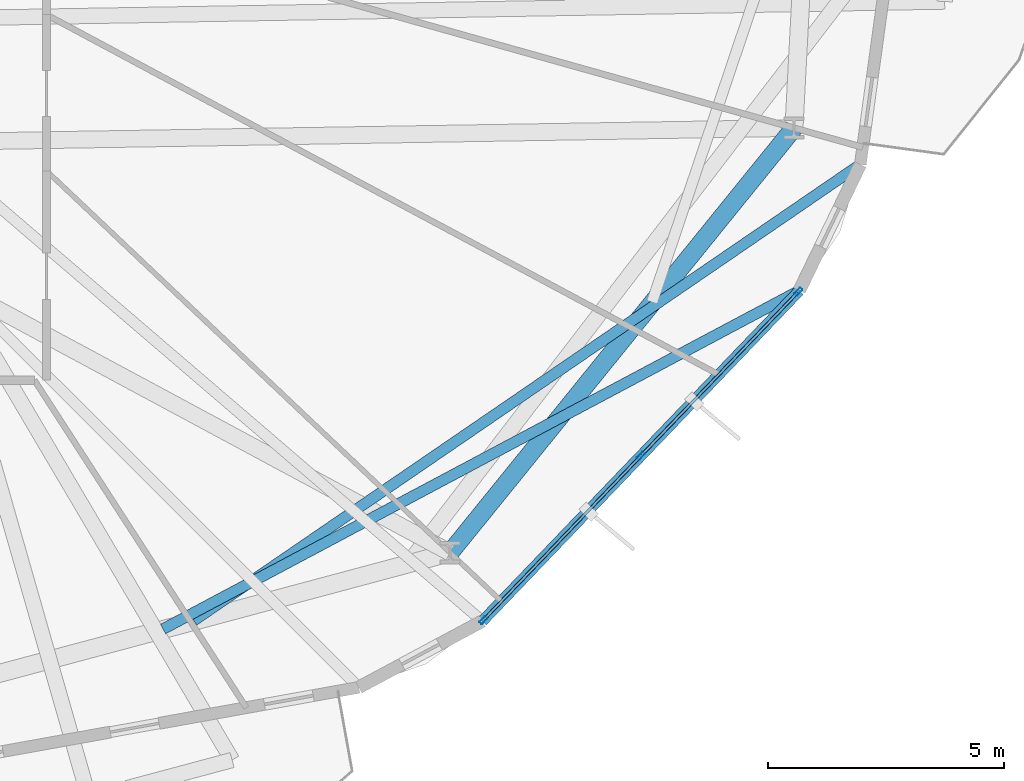
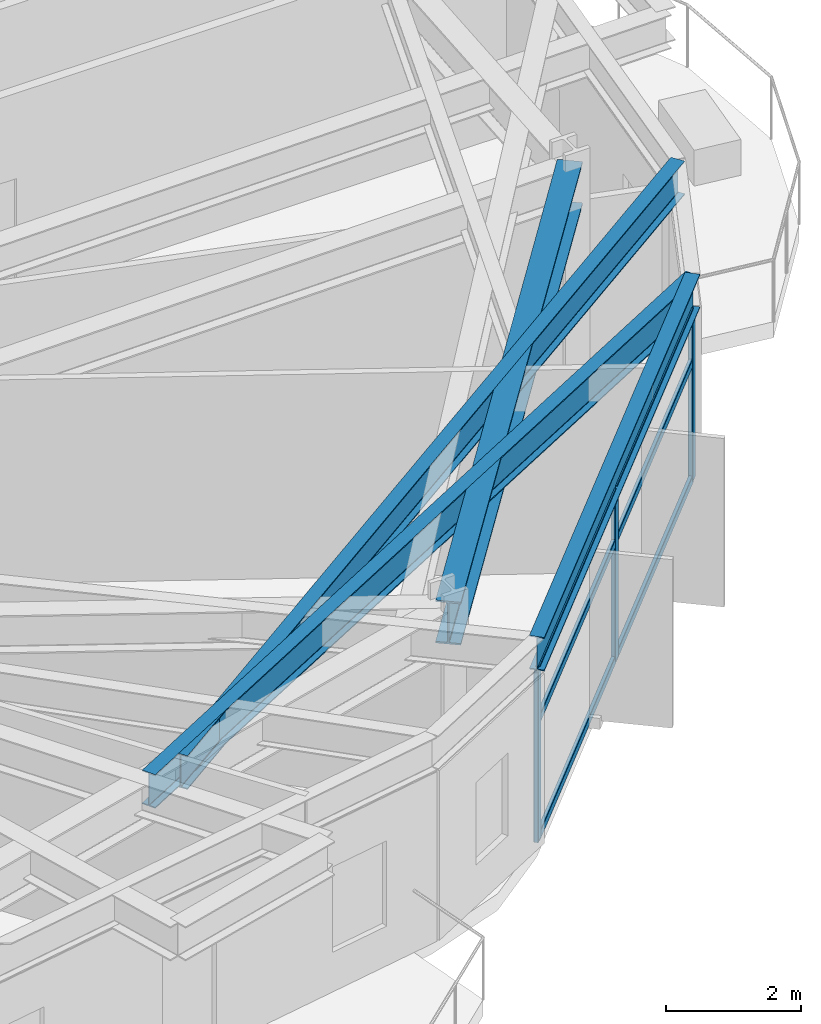
# One storey, part 9 of 22: 9 members, 4 beams, 1 element without a shape of its own.
"""IFC4 building model written with IfcOpenShell, lengths in metres."""

from ifc_helpers import new_model, si_unit, direction, frame, origin, origin_2d, place, context, subcontext, project, spatial, hollow_rectangle, i_section, extrude, material, layer, layer_set, material_profile, profile_set, type_object, element, aggregate, save


model = new_model("IFC4")

# Units and contexts
model_context = context("Model", 3, precision=1e-05, world=origin(), true_north=direction((0.0, 1.0)))
body_context = subcontext(model_context, "Body", "Model", "MODEL_VIEW")
ifc_project = project(units=[si_unit("LENGTHUNIT", "METRE"), si_unit("AREAUNIT", "SQUARE_METRE"), si_unit("VOLUMEUNIT", "CUBIC_METRE"), si_unit("PLANEANGLEUNIT", "RADIAN"), si_unit("MASSUNIT", "GRAM", prefix="KILO")], contexts=[model_context])

# Site, building, storey
site_placement = place(None, origin())
site = spatial("IfcSite", under=ifc_project, at=site_placement, CompositionType="ELEMENT")
building_placement = place(site_placement, origin())
building = spatial("IfcBuilding", under=site, at=building_placement, Name="Soratama Intermodal Tower", CompositionType="ELEMENT")
storey_placement = place(building_placement, frame((0.0, 0.0, 66.60009765625)))
storey = spatial("IfcBuildingStorey", under=building, at=storey_placement, Name="L15", CompositionType="ELEMENT", Elevation=66.60009765625)

# Beams
ifc_material_1 = material(Name="Structural steel ASTM A992 Grade 50", Category="steel")
ifc_material_profile_1 = material_profile(ifc_material_1, i_section(OverallWidth=0.382080078125, OverallDepth=0.779052734375, WebThickness=0.01806640625, FlangeThickness=0.030029296875, FilletRadius=0.01806640625, at=origin_2d()), Name="W30X191")
ifc_profile_set_1 = profile_set([ifc_material_profile_1], Name="Structural steel ASTM A992 Grade 50")
beam_type_1 = type_object("IfcBeamType", Name="BM-RING-W30X191", PredefinedType="BEAM", material=ifc_profile_set_1)
beam_1_placement = place(storey_placement, frame((55.196044921875, 9.300048828125, 3.310302734375), z_axis=(0.629334198857, 0.777134779912, 0.0), x_axis=(-0.777134779912, 0.629334198857, 0.0)))
element("IfcBeam", 1, at=beam_1_placement, inside=storey, type_object=beam_type_1, Name="BM-L15-RING-09", PredefinedType="BEAM", context=body_context, shape_type="SweptSolid", body=[
    extrude(i_section(OverallWidth=0.382080078125, OverallDepth=0.779052734375, WebThickness=0.01806640625, FlangeThickness=0.030029296875, FilletRadius=0.01806640625, at=origin_2d()), origin(), (0.0, 0.0, 1.0), 11.5693359375),
])
ifc_material_2 = material(Name="Structural steel ASTM A992 Grade 50", Category="steel")
ifc_material_profile_2 = material_profile(ifc_material_2, i_section(OverallWidth=0.22900390625, OverallDepth=0.612060546875, WebThickness=0.011962890625, FlangeThickness=0.01953125, FilletRadius=0.012939453125, at=origin_2d()), Name="W24X84")
ifc_profile_set_2 = profile_set([ifc_material_profile_2], Name="Structural steel ASTM A992 Grade 50")
beam_type_2 = type_object("IfcBeamType", Name="BM-SPN-W24X84", PredefinedType="SPANDREL", material=ifc_profile_set_2)
beam_2_placement = place(storey_placement, frame((55.8798828125, 7.84912109375, 3.393798828125), z_axis=(0.69217380253, 0.721730855022, 0.0), x_axis=(-0.721730855022, 0.69217380253, 0.0)))
element("IfcBeam", 2, at=beam_2_placement, inside=storey, type_object=beam_type_2, Name="BS-L15-F09", PredefinedType="SPANDREL", context=body_context, shape_type="SweptSolid", body=[
    extrude(i_section(OverallWidth=0.22900390625, OverallDepth=0.612060546875, WebThickness=0.011962890625, FlangeThickness=0.01953125, FilletRadius=0.012939453125, at=origin_2d()), origin(), (0.0, 0.0, 1.0), 9.697265625),
])
ifc_material_3 = material(Name="Structural steel ASTM A992 Grade 50", Category="steel")
ifc_material_profile_3 = material_profile(ifc_material_3, i_section(OverallWidth=0.22900390625, OverallDepth=0.612060546875, WebThickness=0.011962890625, FlangeThickness=0.01953125, FilletRadius=0.012939453125, at=origin_2d()), Name="W24X84")
ifc_profile_set_3 = profile_set([ifc_material_profile_3], Name="Structural steel ASTM A992 Grade 50")
beam_type_3 = type_object("IfcBeamType", Name="BM-TIE-W24X84", PredefinedType="BEAM", material=ifc_profile_set_3)
beam_3_placement = place(storey_placement, frame((49.1201171875, 7.681884765625, 3.393798828125), z_axis=(0.882869707543, 0.469618014458, 0.0), x_axis=(-0.469618014458, 0.882869707543, 0.0)))
element("IfcBeam", 3, at=beam_3_placement, inside=storey, type_object=beam_type_3, Name="BM-L15-TIE1-09", PredefinedType="BEAM", context=body_context, shape_type="SweptSolid", body=[
    extrude(i_section(OverallWidth=0.22900390625, OverallDepth=0.612060546875, WebThickness=0.011962890625, FlangeThickness=0.01953125, FilletRadius=0.012939453125, at=origin_2d()), origin(), (0.0, 0.0, 1.0), 15.25927734375),
])
beam_4_placement = place(storey_placement, frame((49.77001953125, 7.860107421875, 3.393798828125), z_axis=(0.825235121852, 0.564789335648, 0.0), x_axis=(-0.564789335648, 0.825235121852, 0.0)))
element("IfcBeam", 4, at=beam_4_placement, inside=storey, type_object=beam_type_3, Name="BM-L15-TIE0-10", PredefinedType="BEAM", context=body_context, shape_type="SweptSolid", body=[
    extrude(i_section(OverallWidth=0.22900390625, OverallDepth=0.612060546875, WebThickness=0.011962890625, FlangeThickness=0.01953125, FilletRadius=0.012939453125, at=origin_2d()), origin(), (0.0, 0.0, 1.0), 17.101806640625),
])

# Curtain wall, members
ifc_material_4 = material(Name="Double-glazed aluminium curtain wall", Category="aluminium")
ifc_layer = layer(ifc_material_4, 0.159912109375)
ifc_layer_set = layer_set([ifc_layer], Name="Double-glazed aluminium curtain wall")
curtain_wall_type = type_object("IfcCurtainWallType", Name="CW-SYS-2", PredefinedType="NOTDEFINED", material=ifc_layer_set)
curtain_wall_placement = place(storey_placement, origin())
curtain_wall = element("IfcCurtainWall", 5, at=curtain_wall_placement, inside=storey, type_object=curtain_wall_type, Name="L15 Faceted Curtain Wall F09", PredefinedType="NOTDEFINED")
ifc_material_5 = material(Name="Anodised aluminium AA 6063-T6", Category="aluminium")
ifc_material_profile_4 = material_profile(ifc_material_5, hollow_rectangle(XDim=0.074951171875, YDim=0.179931640625, WallThickness=0.006103515625, InnerFilletRadius=0.006103515625, OuterFilletRadius=0.011962890625, at=origin_2d()), Name="CWM180X75X6")
ifc_profile_set_4 = profile_set([ifc_material_profile_4], Name="Anodised aluminium AA 6063-T6")
member_type_1 = type_object("IfcMemberType", Name="MT-CWM-2", PredefinedType="MULLION", material=ifc_profile_set_4)
member_1_placement = place(storey_placement, frame((55.900390625, 7.870361328125, 0.0), z_axis=(0.0, 0.0, 1.0), x_axis=(-0.721758943781, 0.692144513142, 0.0)))
member_1 = element("IfcMember", 6, at=member_1_placement, type_object=member_type_1, Name="CW-2 mullion 1", PredefinedType="MULLION", context=body_context, shape_type="SweptSolid", body=[
    extrude(hollow_rectangle(XDim=0.074951171875, YDim=0.179931640625, WallThickness=0.006103515625, InnerFilletRadius=0.006103515625, OuterFilletRadius=0.011962890625, at=origin_2d()), origin(), (0.0, 0.0, 1.0), 3.078857421875),
])
member_2_placement = place(storey_placement, frame((59.23583984375, 11.348388671875, 0.0), z_axis=(0.0, 0.0, 1.0), x_axis=(-0.721758943781, 0.692144513142, 0.0)))
member_2 = element("IfcMember", 7, at=member_2_placement, type_object=member_type_1, Name="CW-2 mullion 2", PredefinedType="MULLION", context=body_context, shape_type="SweptSolid", body=[
    extrude(hollow_rectangle(XDim=0.074951171875, YDim=0.179931640625, WallThickness=0.006103515625, InnerFilletRadius=0.006103515625, OuterFilletRadius=0.011962890625, at=origin_2d()), origin(), (0.0, 0.0, 1.0), 3.078857421875),
])
member_3_placement = place(storey_placement, frame((62.5712890625, 14.82666015625, 0.0), z_axis=(0.0, 0.0, 1.0), x_axis=(-0.721758943781, 0.692144513142, 0.0)))
member_3 = element("IfcMember", 8, at=member_3_placement, type_object=member_type_1, Name="CW-2 mullion 3", PredefinedType="MULLION", context=body_context, shape_type="SweptSolid", body=[
    extrude(hollow_rectangle(XDim=0.074951171875, YDim=0.179931640625, WallThickness=0.006103515625, InnerFilletRadius=0.006103515625, OuterFilletRadius=0.011962890625, at=origin_2d()), origin(), (0.0, 0.0, 1.0), 3.078857421875),
])
ifc_material_6 = material(Name="Anodised aluminium AA 6063-T6", Category="aluminium")
ifc_material_profile_5 = material_profile(ifc_material_6, hollow_rectangle(XDim=0.06494140625, YDim=0.14990234375, WallThickness=0.0048828125, InnerFilletRadius=0.0048828125, OuterFilletRadius=0.010009765625, at=origin_2d()), Name="CWT150X65X5")
ifc_profile_set_5 = profile_set([ifc_material_profile_5], Name="Anodised aluminium AA 6063-T6")
member_type_2 = type_object("IfcMemberType", Name="TT-CWT-1", PredefinedType="USERDEFINED", material=ifc_profile_set_5)
member_4_placement = place(storey_placement, frame((55.921142578125, 7.891845703125, 0.02978515625), z_axis=(0.69215156725, 0.721752179043, 0.0), x_axis=(-0.721752179043, 0.69215156725, 0.0)))
member_4 = element("IfcMember", 9, at=member_4_placement, type_object=member_type_2, Name="CW-2 transom 1.1", ObjectType="TRANSOM", PredefinedType="USERDEFINED", context=body_context, shape_type="SweptSolid", body=[
    extrude(hollow_rectangle(XDim=0.06494140625, YDim=0.14990234375, WallThickness=0.0048828125, InnerFilletRadius=0.0048828125, OuterFilletRadius=0.010009765625, at=origin_2d()), origin(), (0.0, 0.0, 1.0), 4.759033203125),
])
member_5_placement = place(storey_placement, frame((55.921142578125, 7.891845703125, 2.14990234375), z_axis=(0.69215156725, 0.721752179043, 0.0), x_axis=(-0.721752179043, 0.69215156725, 0.0)))
member_5 = element("IfcMember", 10, at=member_5_placement, type_object=member_type_2, Name="CW-2 transom 1.2", ObjectType="TRANSOM", PredefinedType="USERDEFINED", context=body_context, shape_type="SweptSolid", body=[
    extrude(hollow_rectangle(XDim=0.06494140625, YDim=0.14990234375, WallThickness=0.0048828125, InnerFilletRadius=0.0048828125, OuterFilletRadius=0.010009765625, at=origin_2d()), origin(), (0.0, 0.0, 1.0), 4.759033203125),
])
member_6_placement = place(storey_placement, frame((55.921142578125, 7.891845703125, 3.048828125), z_axis=(0.69215156725, 0.721752179043, 0.0), x_axis=(-0.721752179043, 0.69215156725, 0.0)))
member_6 = element("IfcMember", 11, at=member_6_placement, type_object=member_type_2, Name="CW-2 transom 1.3", ObjectType="TRANSOM", PredefinedType="USERDEFINED", context=body_context, shape_type="SweptSolid", body=[
    extrude(hollow_rectangle(XDim=0.06494140625, YDim=0.14990234375, WallThickness=0.0048828125, InnerFilletRadius=0.0048828125, OuterFilletRadius=0.010009765625, at=origin_2d()), origin(), (0.0, 0.0, 1.0), 4.759033203125),
])
member_7_placement = place(storey_placement, frame((59.256591796875, 11.3701171875, 0.02978515625), z_axis=(0.69215156725, 0.721752179043, 0.0), x_axis=(-0.721752179043, 0.69215156725, 0.0)))
member_7 = element("IfcMember", 12, at=member_7_placement, type_object=member_type_2, Name="CW-2 transom 2.1", ObjectType="TRANSOM", PredefinedType="USERDEFINED", context=body_context, shape_type="SweptSolid", body=[
    extrude(hollow_rectangle(XDim=0.06494140625, YDim=0.14990234375, WallThickness=0.0048828125, InnerFilletRadius=0.0048828125, OuterFilletRadius=0.010009765625, at=origin_2d()), origin(), (0.0, 0.0, 1.0), 4.759033203125),
])
member_8_placement = place(storey_placement, frame((59.256591796875, 11.3701171875, 2.14990234375), z_axis=(0.69215156725, 0.721752179043, 0.0), x_axis=(-0.721752179043, 0.69215156725, 0.0)))
member_8 = element("IfcMember", 13, at=member_8_placement, type_object=member_type_2, Name="CW-2 transom 2.2", ObjectType="TRANSOM", PredefinedType="USERDEFINED", context=body_context, shape_type="SweptSolid", body=[
    extrude(hollow_rectangle(XDim=0.06494140625, YDim=0.14990234375, WallThickness=0.0048828125, InnerFilletRadius=0.0048828125, OuterFilletRadius=0.010009765625, at=origin_2d()), origin(), (0.0, 0.0, 1.0), 4.759033203125),
])
member_9_placement = place(storey_placement, frame((59.256591796875, 11.3701171875, 3.048828125), z_axis=(0.69215156725, 0.721752179043, 0.0), x_axis=(-0.721752179043, 0.69215156725, 0.0)))
member_9 = element("IfcMember", 14, at=member_9_placement, type_object=member_type_2, Name="CW-2 transom 2.3", ObjectType="TRANSOM", PredefinedType="USERDEFINED", context=body_context, shape_type="SweptSolid", body=[
    extrude(hollow_rectangle(XDim=0.06494140625, YDim=0.14990234375, WallThickness=0.0048828125, InnerFilletRadius=0.0048828125, OuterFilletRadius=0.010009765625, at=origin_2d()), origin(), (0.0, 0.0, 1.0), 4.759033203125),
])
aggregate(curtain_wall, [member_1, member_2, member_3, member_4, member_5, member_6, member_7, member_8, member_9])

save(model, "model.ifc")
